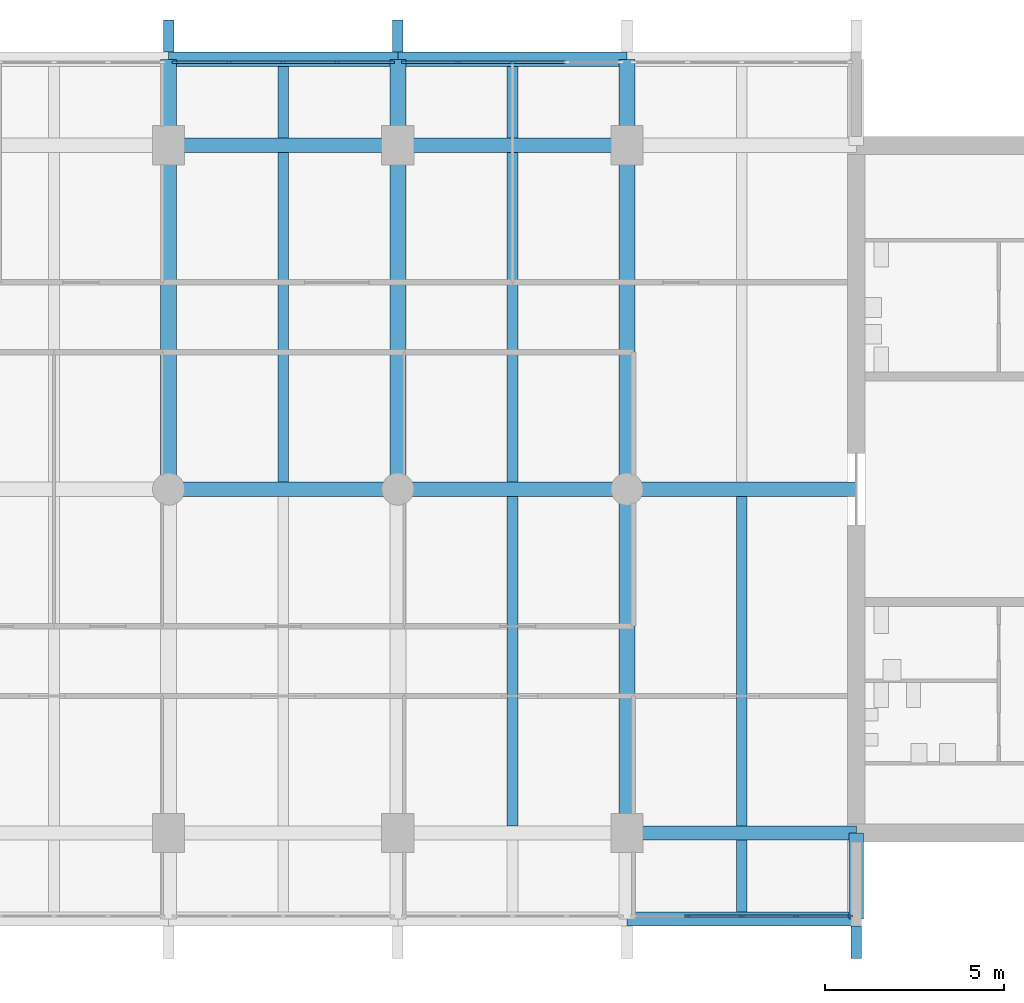
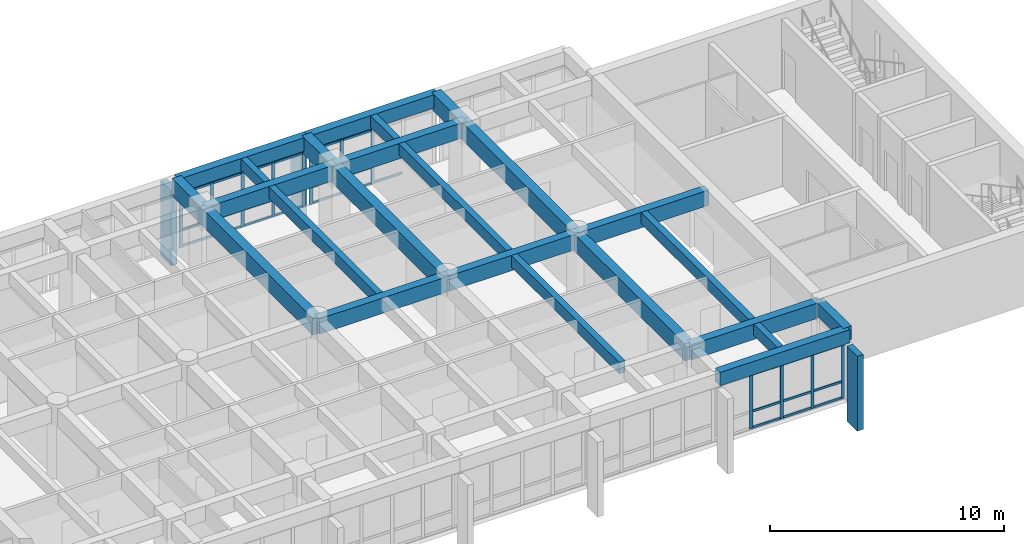
# One storey, part 5 of 15: 44 members, 24 beams, 3 elements without a shape of their own.
"""IFC4 building model written with IfcOpenShell, lengths in metres."""

import ifcopenshell
import ifcopenshell.guid

model = None  # the IFC model being written
_history = None  # IfcOwnerHistory: only IFC2X3 demands one
_inside = {}  # id of a spatial element -> (the spatial element, [elements in it])
_under = {}  # id of a project, library or spatial element -> (it, [spatial elements below it])
_declared = {}  # id of a project -> (the project, [libraries it declares])
_typed = {}  # id of a type object -> (the type object, [elements of that type])
_made_of = {}  # id of a material, layer set ... -> (it, [elements and type objects made of it])


def new_model(schema):
    """Start an empty IFC model of exactly this schema.

    Asked for "IFC4X3", IfcOpenShell would pick the latest addendum, in which some entities
    have other attributes; the version numbers below select the first issue.
    IFC2X3 requires an IfcOwnerHistory on every rooted entity: one is made here for all.
    """
    global model, _history
    if schema == "IFC4X3":
        model = ifcopenshell.file(schema_version=(4, 3, 0, 0))
    else:
        model = ifcopenshell.file(schema=schema)
    _inside.clear()
    _under.clear()
    _declared.clear()
    _typed.clear()
    _made_of.clear()
    _history = None
    if model.schema == "IFC2X3":
        org = make("IfcOrganization", Name="unknown")
        user = make(
            "IfcPersonAndOrganization",
            ThePerson=make("IfcPerson", FamilyName="unknown"),
            TheOrganization=org,
        )
        app = make(
            "IfcApplication",
            ApplicationDeveloper=org,
            Version="unknown",
            ApplicationFullName="unknown",
            ApplicationIdentifier="unknown",
        )
        _history = make(
            "IfcOwnerHistory",
            OwningUser=user,
            OwningApplication=app,
            ChangeAction="ADDED",
            CreationDate=0,
        )
    return model


def make(cls, **values):
    """One entity of the class cls with the attributes given. An attribute that is None is left unset."""
    return model.create_entity(
        cls, **{name: value for name, value in values.items() if value is not None}
    )


def rooted(cls, **values):
    """An entity with a GlobalId (a new one), such as an element, a storey or a relation."""
    return make(cls, GlobalId=ifcopenshell.guid.new(), OwnerHistory=_history, **values)


def si_unit(unit_type, name, prefix=None):
    """IfcSIUnit, for example si_unit("LENGTHUNIT", "METRE", prefix="MILLI")."""
    return make("IfcSIUnit", UnitType=unit_type, Prefix=prefix, Name=name)


def assignment(units):
    """IfcUnitAssignment: the units of a project."""
    return None if units is None else make("IfcUnitAssignment", Units=units)


def point(xyz):
    """IfcCartesianPoint."""
    return None if xyz is None else make("IfcCartesianPoint", Coordinates=xyz)


def direction(xyz):
    """IfcDirection."""
    return None if xyz is None else make("IfcDirection", DirectionRatios=xyz)


def frame(location, z_axis=None, x_axis=None):
    """IfcAxis2Placement3D, a coordinate frame: its origin and axes. An axis left out is left unset."""
    return make(
        "IfcAxis2Placement3D",
        Location=point(location),
        Axis=direction(z_axis),
        RefDirection=direction(x_axis),
    )


def frame_2d(location, x_axis=None):
    """IfcAxis2Placement2D, a coordinate frame in the plane: its origin and x axis."""
    return make(
        "IfcAxis2Placement2D", Location=point(location), RefDirection=direction(x_axis)
    )


def origin():
    """The frame at (0, 0, 0) with its axes left unset."""
    return frame((0.0, 0.0, 0.0))


def origin_2d():
    """The frame at (0, 0) in the plane with its x axis left unset."""
    return frame_2d((0.0, 0.0))


def place(relative_to, where):
    """IfcLocalPlacement: puts the frame where relative to a parent placement (None: the world)."""
    return make(
        "IfcLocalPlacement", PlacementRelTo=relative_to, RelativePlacement=where
    )


def context(
    kind, dimensions, precision=None, world=None, true_north=None, identifier=None
):
    """IfcGeometricRepresentationContext, for example the 3D "Model" context."""
    return make(
        "IfcGeometricRepresentationContext",
        ContextIdentifier=identifier,
        ContextType=kind,
        CoordinateSpaceDimension=dimensions,
        Precision=precision,
        WorldCoordinateSystem=world,
        TrueNorth=true_north,
    )


def subcontext(parent, identifier, kind, view, scale=None):
    """IfcGeometricRepresentationSubContext, for example "Body" below "Model"."""
    return make(
        "IfcGeometricRepresentationSubContext",
        ContextIdentifier=identifier,
        ContextType=kind,
        ParentContext=parent,
        TargetScale=scale,
        TargetView=view,
    )


def project(units=None, contexts=None):
    """IfcProject with its units and contexts."""
    return rooted(
        "IfcProject",
        Name="project",
        RepresentationContexts=contexts,
        UnitsInContext=assignment(units),
    )


def spatial(cls, under=None, at=None, **own):
    """A site, building, storey or space (cls), placed at a placement, below another one or the project."""
    s = rooted(cls, ObjectPlacement=at, **own)
    if under is not None:
        _under.setdefault(under.id(), (under, []))[1].append(s)
    return s


def profile(cls, at=None, kind="AREA", **sizes):
    """A parametric profile (cls). Its sizes go by their IFC names, for example OverallWidth=200.0."""
    return make(cls, ProfileType=kind, Position=at, **sizes)


def rectangle(**sizes):
    """IfcRectangleProfileDef."""
    return profile("IfcRectangleProfileDef", **sizes)


def extrude(swept, where, along, depth):
    """IfcExtrudedAreaSolid: the profile swept, set in the frame where, extruded along a direction by depth."""
    return make(
        "IfcExtrudedAreaSolid",
        SweptArea=swept,
        Position=where,
        ExtrudedDirection=direction(along),
        Depth=depth,
    )


def shape(context_of_items, identifier, shape_type, items):
    """IfcShapeRepresentation: the items that make up one representation, for example the "Body"."""
    return make(
        "IfcShapeRepresentation",
        ContextOfItems=context_of_items,
        RepresentationIdentifier=identifier,
        RepresentationType=shape_type,
        Items=items,
    )


def material(Name=None, Category=None):
    """IfcMaterial."""
    return make("IfcMaterial", Name=Name, Category=Category)


def layer(
    of_material, thickness, ventilated=None, Name=None, Category=None, Priority=None
):
    """IfcMaterialLayer: one layer of a wall or slab, of a material (None: an air gap)."""
    return make(
        "IfcMaterialLayer",
        Material=of_material,
        LayerThickness=thickness,
        IsVentilated=ventilated,
        Name=Name,
        Category=Category,
        Priority=Priority,
    )


def layer_set(layers, Name=None):
    """IfcMaterialLayerSet."""
    return make("IfcMaterialLayerSet", MaterialLayers=layers, LayerSetName=Name)


def material_profile(
    of_material, cross_section, Name=None, Category=None, Priority=None
):
    """IfcMaterialProfile: a cross section and its material."""
    return make(
        "IfcMaterialProfile",
        Name=Name,
        Material=of_material,
        Profile=cross_section,
        Priority=Priority,
        Category=Category,
    )


def profile_set(profiles, Name=None, composite=None):
    """IfcMaterialProfileSet."""
    return make(
        "IfcMaterialProfileSet",
        Name=Name,
        MaterialProfiles=profiles,
        CompositeProfile=composite,
    )


def made_of(thing, what):
    """Note that an element or type object is made of a material, layer set ...; save() writes the relation."""
    if what is not None:
        _made_of.setdefault(what.id(), (what, []))[1].append(thing)
    return thing


def type_object(cls, material=None, **own):
    """A type object (cls), such as IfcWallType, which elements share."""
    return made_of(rooted(cls, **own), material)


def element(
    cls,
    number,
    at=None,
    inside=None,
    cuts=None,
    type_object=None,
    material=None,
    context=None,
    identifier="Body",
    shape_type=None,
    held_by="IfcProductDefinitionShape",
    body=None,
    shapes=None,
    **own,
):
    """One element of the class cls, such as IfcWall. Its Tag is "e" and its number.

    at: its placement. inside: the storey or other place that contains it. cuts: it is an
    opening in that element (IfcRelVoidsElement). A single representation is given by context,
    identifier, shape_type and body (its items); several are given by shapes. held_by: the class
    of the entity that holds the representations. save() writes the other relations.
    """
    e = rooted(cls, Tag="e%d" % number, ObjectPlacement=at, **own)
    if body is not None:
        shapes = [shape(context, identifier, shape_type, body)]
    if shapes is not None:
        e.Representation = make(held_by, Representations=shapes)
    if inside is not None:
        _inside.setdefault(inside.id(), (inside, []))[1].append(e)
    if cuts is not None:
        rooted(
            "IfcRelVoidsElement", RelatingBuildingElement=cuts, RelatedOpeningElement=e
        )
    if type_object is not None:
        _typed.setdefault(type_object.id(), (type_object, []))[1].append(e)
    return made_of(e, material)


def aggregate(whole, parts):
    """IfcRelAggregates: a whole, such as a stair, and the parts it consists of."""
    return rooted("IfcRelAggregates", RelatingObject=whole, RelatedObjects=parts)


def save(model, path):
    """Write the relations noted so far, then the file.

    IfcRelAggregates (storeys below a building ...), IfcRelContainedInSpatialStructure (elements
    in a storey), IfcRelDefinesByType, IfcRelAssociatesMaterial and IfcRelDeclares: one each for
    every whole, place, type object, material and project.
    """
    for whole, parts in _under.values():
        aggregate(whole, parts)
    for where, things in _inside.values():
        rooted(
            "IfcRelContainedInSpatialStructure",
            RelatedElements=things,
            RelatingStructure=where,
        )
    for kind, things in _typed.values():
        rooted("IfcRelDefinesByType", RelatedObjects=things, RelatingType=kind)
    for what, things in _made_of.values():
        rooted("IfcRelAssociatesMaterial", RelatedObjects=things, RelatingMaterial=what)
    for by, libraries in _declared.values():
        rooted("IfcRelDeclares", RelatingContext=by, RelatedDefinitions=libraries)
    model.write(path)


model = new_model("IFC4")

# Units and contexts
model_context = context("Model", 3, precision=1e-05, world=origin(), true_north=direction((0.0, 1.0)))
body_context = subcontext(model_context, "Body", "Model", "MODEL_VIEW")
ifc_project = project(units=[si_unit("LENGTHUNIT", "METRE"), si_unit("AREAUNIT", "SQUARE_METRE"), si_unit("VOLUMEUNIT", "CUBIC_METRE"), si_unit("PLANEANGLEUNIT", "RADIAN"), si_unit("MASSUNIT", "GRAM", prefix="KILO")], contexts=[model_context])

# Site, building, storey
site_placement = place(None, origin())
site = spatial("IfcSite", under=ifc_project, at=site_placement, CompositionType="ELEMENT")
building_placement = place(site_placement, origin())
building = spatial("IfcBuilding", under=site, at=building_placement, Name="Fogon Plaza Fire Station and Headquarters Tower", CompositionType="ELEMENT")
storey_placement = place(building_placement, frame((0.0, 0.0, 48.300048828125)))
storey = spatial("IfcBuildingStorey", under=building, at=storey_placement, Name="L12", CompositionType="ELEMENT", Elevation=48.300048828125)

# Beams
ifc_material_1 = material(Name="Concrete C40", Category="concrete")
ifc_material_profile_1 = material_profile(ifc_material_1, rectangle(XDim=0.39990234375, YDim=0.699951171875, at=origin_2d()), Name="RC 400x700")
ifc_profile_set_1 = profile_set([ifc_material_profile_1], Name="Concrete C40")
beam_type_1 = type_object("IfcBeamType", Name="BEAM RC 400x700", PredefinedType="BEAM", material=ifc_profile_set_1)
for number, where, z_axis, x_axis, name in (
    (1, (57.60009765625, 31.199951171875, 3.329833984375), (1.0, 0.0, 0.0), (0.0, 1.0, 0.0), "beam-L12-044"),
    (2, (44.800048828125, 55.199951171875, 3.329833984375), (1.0, 0.0, 0.0), (0.0, 1.0, 0.0), "beam-L12-048"),
):
    element("IfcBeam", number, at=place(storey_placement, frame(where, z_axis=z_axis, x_axis=x_axis)), inside=storey, type_object=beam_type_1, Name=name, PredefinedType="BEAM", context=body_context, shape_type="SweptSolid", body=[
        extrude(rectangle(XDim=0.39990234375, YDim=0.699951171875, at=origin_2d()), origin(), (0.0, 0.0, 1.0), 6.39990234375),
    ])
beam_1_placement = place(storey_placement, frame((51.199951171875, 55.199951171875, 3.329833984375), z_axis=(1.0, 0.0, 0.0), x_axis=(0.0, 1.0, 0.0)))
element("IfcBeam", 3, at=beam_1_placement, inside=storey, type_object=beam_type_1, Name="beam-L12-049", PredefinedType="BEAM", context=body_context, shape_type="SweptSolid", body=[
    extrude(rectangle(XDim=0.39990234375, YDim=0.699951171875, at=origin_2d()), origin(), (0.0, 0.0, 1.0), 6.400146484375),
])
ifc_material_2 = material(Name="Concrete C40", Category="concrete")
ifc_material_profile_2 = material_profile(ifc_material_2, rectangle(XDim=0.39990234375, YDim=0.699951171875, at=origin_2d()), Name="RC 400x700")
ifc_profile_set_2 = profile_set([ifc_material_profile_2], Name="Concrete C40")
beam_type_2 = type_object("IfcBeamType", Name="BEAM RC 400x700 SPAN 0.0 TO 3.0 M", PredefinedType="BEAM", material=ifc_profile_set_2)
beam_2_placement = place(storey_placement, frame((64.0, 31.199951171875, 3.329833984375), z_axis=(0.0, 1.0, 0.0), x_axis=(-1.0, 0.0, 0.0)))
element("IfcBeam", 4, at=beam_2_placement, inside=storey, type_object=beam_type_2, Name="beam-L12-053", PredefinedType="BEAM", context=body_context, shape_type="SweptSolid", body=[
    extrude(rectangle(XDim=0.39990234375, YDim=0.699951171875, at=origin_2d()), origin(), (0.0, 0.0, 1.0), 2.400146484375),
])
ifc_material_3 = material(Name="Concrete C40", Category="concrete")
ifc_material_profile_3 = material_profile(ifc_material_3, rectangle(XDim=0.39990234375, YDim=0.800048828125, at=origin_2d()), Name="RC 400x800")
ifc_profile_set_3 = profile_set([ifc_material_profile_3], Name="Concrete C40")
beam_type_3 = type_object("IfcBeamType", Name="BEAM RC 400x800", PredefinedType="BEAM", material=ifc_profile_set_3)
for number, where, z_axis, x_axis, name in (
    (5, (57.60009765625, 33.60009765625, 3.280029296875), (1.0, 0.0, 0.0), (0.0, 1.0, 0.0), "beam-L12-026"),
    (6, (44.800048828125, 43.199951171875, 3.280029296875), (1.0, 0.0, 0.0), (0.0, 1.0, 0.0), "beam-L12-030"),
):
    element("IfcBeam", number, at=place(storey_placement, frame(where, z_axis=z_axis, x_axis=x_axis)), inside=storey, type_object=beam_type_3, Name=name, PredefinedType="BEAM", context=body_context, shape_type="SweptSolid", body=[
        extrude(rectangle(XDim=0.39990234375, YDim=0.800048828125, at=origin_2d()), origin(), (0.0, 0.0, 1.0), 6.39990234375),
    ])
beam_3_placement = place(storey_placement, frame((51.199951171875, 43.199951171875, 3.280029296875), z_axis=(1.0, 0.0, 0.0), x_axis=(0.0, 1.0, 0.0)))
element("IfcBeam", 7, at=beam_3_placement, inside=storey, type_object=beam_type_3, Name="beam-L12-031", PredefinedType="BEAM", context=body_context, shape_type="SweptSolid", body=[
    extrude(rectangle(XDim=0.39990234375, YDim=0.800048828125, at=origin_2d()), origin(), (0.0, 0.0, 1.0), 6.400146484375),
])
for number, where, z_axis, x_axis, name in (
    (8, (57.60009765625, 43.199951171875, 3.280029296875), (1.0, 0.0, 0.0), (0.0, 1.0, 0.0), "beam-L12-032"),
    (9, (44.800048828125, 52.800048828125, 3.280029296875), (1.0, 0.0, 0.0), (0.0, 1.0, 0.0), "beam-L12-036"),
):
    element("IfcBeam", number, at=place(storey_placement, frame(where, z_axis=z_axis, x_axis=x_axis)), inside=storey, type_object=beam_type_3, Name=name, PredefinedType="BEAM", context=body_context, shape_type="SweptSolid", body=[
        extrude(rectangle(XDim=0.39990234375, YDim=0.800048828125, at=origin_2d()), origin(), (0.0, 0.0, 1.0), 6.39990234375),
    ])
beam_4_placement = place(storey_placement, frame((51.199951171875, 52.800048828125, 3.280029296875), z_axis=(1.0, 0.0, 0.0), x_axis=(0.0, 1.0, 0.0)))
element("IfcBeam", 10, at=beam_4_placement, inside=storey, type_object=beam_type_3, Name="beam-L12-037", PredefinedType="BEAM", context=body_context, shape_type="SweptSolid", body=[
    extrude(rectangle(XDim=0.39990234375, YDim=0.800048828125, at=origin_2d()), origin(), (0.0, 0.0, 1.0), 6.400146484375),
])
ifc_material_4 = material(Name="Concrete C40", Category="concrete")
ifc_material_profile_4 = material_profile(ifc_material_4, rectangle(XDim=0.449951171875, YDim=0.89990234375, at=origin_2d()), Name="RC 450x900")
ifc_profile_set_4 = profile_set([ifc_material_profile_4], Name="Concrete C40")
beam_type_4 = type_object("IfcBeamType", Name="BEAM RC 450x900", PredefinedType="BEAM", material=ifc_profile_set_4)
for number, where, z_axis, x_axis, name in (
    (11, (44.800048828125, 43.199951171875, 3.22998046875), (0.0, 1.0, 0.0), (-1.0, 0.0, 0.0), "beam-L12-011"),
    (12, (51.199951171875, 43.199951171875, 3.22998046875), (0.0, 1.0, 0.0), (-1.0, 0.0, 0.0), "beam-L12-015"),
):
    element("IfcBeam", number, at=place(storey_placement, frame(where, z_axis=z_axis, x_axis=x_axis)), inside=storey, type_object=beam_type_4, Name=name, PredefinedType="BEAM", context=body_context, shape_type="SweptSolid", body=[
        extrude(rectangle(XDim=0.449951171875, YDim=0.89990234375, at=origin_2d()), origin(), (0.0, 0.0, 1.0), 9.60009765625),
    ])
beam_5_placement = place(storey_placement, frame((57.60009765625, 33.60009765625, 3.22998046875), z_axis=(0.0, 1.0, 0.0), x_axis=(-1.0, 0.0, 0.0)))
element("IfcBeam", 13, at=beam_5_placement, inside=storey, type_object=beam_type_4, Name="beam-L12-018", PredefinedType="BEAM", context=body_context, shape_type="SweptSolid", body=[
    extrude(rectangle(XDim=0.449951171875, YDim=0.89990234375, at=origin_2d()), origin(), (0.0, 0.0, 1.0), 9.599853515625),
])
beam_6_placement = place(storey_placement, frame((57.60009765625, 43.199951171875, 3.22998046875), z_axis=(0.0, 1.0, 0.0), x_axis=(-1.0, 0.0, 0.0)))
element("IfcBeam", 14, at=beam_6_placement, inside=storey, type_object=beam_type_4, Name="beam-L12-019", PredefinedType="BEAM", context=body_context, shape_type="SweptSolid", body=[
    extrude(rectangle(XDim=0.449951171875, YDim=0.89990234375, at=origin_2d()), origin(), (0.0, 0.0, 1.0), 9.60009765625),
])
ifc_material_5 = material(Name="Concrete C40", Category="concrete")
ifc_material_profile_5 = material_profile(ifc_material_5, rectangle(XDim=0.449951171875, YDim=0.89990234375, at=origin_2d()), Name="RC 450x900")
ifc_profile_set_5 = profile_set([ifc_material_profile_5], Name="Concrete C40")
beam_type_5 = type_object("IfcBeamType", Name="BEAM RC 450x900 SPAN 0.0 TO 3.0 M", PredefinedType="BEAM", material=ifc_profile_set_5)
for number, where, z_axis, x_axis, name in (
    (15, (44.800048828125, 52.800048828125, 3.22998046875), (0.0, 1.0, 0.0), (-1.0, 0.0, 0.0), "beam-L12-012"),
    (16, (51.199951171875, 52.800048828125, 3.22998046875), (0.0, 1.0, 0.0), (-1.0, 0.0, 0.0), "beam-L12-016"),
    (17, (57.60009765625, 52.800048828125, 3.22998046875), (0.0, 1.0, 0.0), (-1.0, 0.0, 0.0), "beam-L12-020"),
):
    element("IfcBeam", number, at=place(storey_placement, frame(where, z_axis=z_axis, x_axis=x_axis)), inside=storey, type_object=beam_type_5, Name=name, PredefinedType="BEAM", context=body_context, shape_type="SweptSolid", body=[
        extrude(rectangle(XDim=0.449951171875, YDim=0.89990234375, at=origin_2d()), origin(), (0.0, 0.0, 1.0), 2.39990234375),
    ])

# Curtain wall, members
ifc_material_6 = material(Name="Aluminium and glass", Category="aluminium")
ifc_layer = layer(ifc_material_6, 0.14990234375)
ifc_layer_set = layer_set([ifc_layer], Name="Aluminium and glass")
curtain_wall_type = type_object("IfcCurtainWallType", Name="Unitised Curtain Wall Run 6100x2880", PredefinedType="NOTDEFINED", material=ifc_layer_set)
curtain_wall_1_placement = place(storey_placement, origin())
curtain_wall_1 = element("IfcCurtainWall", 18, at=curtain_wall_1_placement, inside=storey, type_object=curtain_wall_type, Name="CW-6100x2880 S6 L12", PredefinedType="NOTDEFINED")
ifc_material_7 = material(Name="Aluminium", Category="aluminium")
ifc_material_profile_6 = material_profile(ifc_material_7, rectangle(XDim=0.06005859375, YDim=0.159912109375, at=origin_2d()), Name="Curtain Wall Mullion 60x160")
ifc_profile_set_6 = profile_set([ifc_material_profile_6], Name="Aluminium")
member_type_1 = type_object("IfcMemberType", Name="Curtain Wall Mullion 60x160", PredefinedType="MULLION", material=ifc_profile_set_6)
member_1_placement = place(storey_placement, frame((59.2900390625, 31.280029296875, 0.0), z_axis=(0.0, 0.0, 1.0), x_axis=(0.0, 1.0, 0.0)))
member_1 = element("IfcMember", 19, at=member_1_placement, type_object=member_type_1, Name="CW-6100x2880 mullion 2", PredefinedType="MULLION", context=body_context, shape_type="SweptSolid", body=[
    extrude(rectangle(XDim=0.06005859375, YDim=0.159912109375, at=origin_2d()), origin(), (0.0, 0.0, 1.0), 2.8798828125),
])
member_2_placement = place(storey_placement, frame((60.800048828125, 31.280029296875, 0.0), z_axis=(0.0, 0.0, 1.0), x_axis=(0.0, 1.0, 0.0)))
member_2 = element("IfcMember", 20, at=member_2_placement, type_object=member_type_1, Name="CW-6100x2880 mullion 3", PredefinedType="MULLION", context=body_context, shape_type="SweptSolid", body=[
    extrude(rectangle(XDim=0.06005859375, YDim=0.159912109375, at=origin_2d()), origin(), (0.0, 0.0, 1.0), 2.8798828125),
])
member_3_placement = place(storey_placement, frame((62.31005859375, 31.280029296875, 0.0), z_axis=(0.0, 0.0, 1.0), x_axis=(0.0, 1.0, 0.0)))
member_3 = element("IfcMember", 21, at=member_3_placement, type_object=member_type_1, Name="CW-6100x2880 mullion 4", PredefinedType="MULLION", context=body_context, shape_type="SweptSolid", body=[
    extrude(rectangle(XDim=0.06005859375, YDim=0.159912109375, at=origin_2d()), origin(), (0.0, 0.0, 1.0), 2.8798828125),
])
member_4_placement = place(storey_placement, frame((63.820068359375, 31.280029296875, 0.0), z_axis=(0.0, 0.0, 1.0), x_axis=(0.0, 1.0, 0.0)))
member_4 = element("IfcMember", 22, at=member_4_placement, type_object=member_type_1, Name="CW-6100x2880 mullion 5", PredefinedType="MULLION", context=body_context, shape_type="SweptSolid", body=[
    extrude(rectangle(XDim=0.06005859375, YDim=0.159912109375, at=origin_2d()), origin(), (0.0, 0.0, 1.0), 2.8798828125),
])

curtain_wall_2_placement = place(storey_placement, origin())
curtain_wall_2 = element("IfcCurtainWall", 23, at=curtain_wall_2_placement, inside=storey, type_object=curtain_wall_type, Name="CW-6100x2880 N4 L12", PredefinedType="NOTDEFINED")
member_5_placement = place(storey_placement, frame((44.97998046875, 55.1201171875, 0.0), z_axis=(0.0, 0.0, 1.0), x_axis=(0.0, 1.0, 0.0)))
member_5 = element("IfcMember", 24, at=member_5_placement, type_object=member_type_1, Name="CW-6100x2880 mullion 1", PredefinedType="MULLION", context=body_context, shape_type="SweptSolid", body=[
    extrude(rectangle(XDim=0.06005859375, YDim=0.159912109375, at=origin_2d()), origin(), (0.0, 0.0, 1.0), 2.8798828125),
])
member_6_placement = place(storey_placement, frame((46.489990234375, 55.1201171875, 0.0), z_axis=(0.0, 0.0, 1.0), x_axis=(0.0, 1.0, 0.0)))
member_6 = element("IfcMember", 25, at=member_6_placement, type_object=member_type_1, Name="CW-6100x2880 mullion 2", PredefinedType="MULLION", context=body_context, shape_type="SweptSolid", body=[
    extrude(rectangle(XDim=0.06005859375, YDim=0.159912109375, at=origin_2d()), origin(), (0.0, 0.0, 1.0), 2.8798828125),
])
member_7_placement = place(storey_placement, frame((48.0, 55.1201171875, 0.0), z_axis=(0.0, 0.0, 1.0), x_axis=(0.0, 1.0, 0.0)))
member_7 = element("IfcMember", 26, at=member_7_placement, type_object=member_type_1, Name="CW-6100x2880 mullion 3", PredefinedType="MULLION", context=body_context, shape_type="SweptSolid", body=[
    extrude(rectangle(XDim=0.06005859375, YDim=0.159912109375, at=origin_2d()), origin(), (0.0, 0.0, 1.0), 2.8798828125),
])
member_8_placement = place(storey_placement, frame((49.510009765625, 55.1201171875, 0.0), z_axis=(0.0, 0.0, 1.0), x_axis=(0.0, 1.0, 0.0)))
member_8 = element("IfcMember", 27, at=member_8_placement, type_object=member_type_1, Name="CW-6100x2880 mullion 4", PredefinedType="MULLION", context=body_context, shape_type="SweptSolid", body=[
    extrude(rectangle(XDim=0.06005859375, YDim=0.159912109375, at=origin_2d()), origin(), (0.0, 0.0, 1.0), 2.8798828125),
])
member_9_placement = place(storey_placement, frame((51.02001953125, 55.1201171875, 0.0), z_axis=(0.0, 0.0, 1.0), x_axis=(0.0, 1.0, 0.0)))
member_9 = element("IfcMember", 28, at=member_9_placement, type_object=member_type_1, Name="CW-6100x2880 mullion 5", PredefinedType="MULLION", context=body_context, shape_type="SweptSolid", body=[
    extrude(rectangle(XDim=0.06005859375, YDim=0.159912109375, at=origin_2d()), origin(), (0.0, 0.0, 1.0), 2.8798828125),
])

curtain_wall_3_placement = place(storey_placement, origin())
curtain_wall_3 = element("IfcCurtainWall", 29, at=curtain_wall_3_placement, inside=storey, type_object=curtain_wall_type, Name="CW-6100x2880 N5 L12", PredefinedType="NOTDEFINED")
member_10_placement = place(storey_placement, frame((51.3798828125, 55.1201171875, 0.0), z_axis=(0.0, 0.0, 1.0), x_axis=(0.0, 1.0, 0.0)))
member_10 = element("IfcMember", 30, at=member_10_placement, type_object=member_type_1, Name="CW-6100x2880 mullion 1", PredefinedType="MULLION", context=body_context, shape_type="SweptSolid", body=[
    extrude(rectangle(XDim=0.06005859375, YDim=0.159912109375, at=origin_2d()), origin(), (0.0, 0.0, 1.0), 2.8798828125),
])
member_11_placement = place(storey_placement, frame((52.889892578125, 55.1201171875, 0.0), z_axis=(0.0, 0.0, 1.0), x_axis=(0.0, 1.0, 0.0)))
member_11 = element("IfcMember", 31, at=member_11_placement, type_object=member_type_1, Name="CW-6100x2880 mullion 2", PredefinedType="MULLION", context=body_context, shape_type="SweptSolid", body=[
    extrude(rectangle(XDim=0.06005859375, YDim=0.159912109375, at=origin_2d()), origin(), (0.0, 0.0, 1.0), 2.8798828125),
])
member_12_placement = place(storey_placement, frame((54.39990234375, 55.1201171875, 0.0), z_axis=(0.0, 0.0, 1.0), x_axis=(0.0, 1.0, 0.0)))
member_12 = element("IfcMember", 32, at=member_12_placement, type_object=member_type_1, Name="CW-6100x2880 mullion 3", PredefinedType="MULLION", context=body_context, shape_type="SweptSolid", body=[
    extrude(rectangle(XDim=0.06005859375, YDim=0.159912109375, at=origin_2d()), origin(), (0.0, 0.0, 1.0), 2.8798828125),
])

# Member
ifc_material_8 = material(Name="Aluminium", Category="aluminium")
ifc_material_profile_7 = material_profile(ifc_material_8, rectangle(XDim=0.06005859375, YDim=0.1201171875, at=origin_2d()), Name="Curtain Wall Transom 60x120")
ifc_profile_set_7 = profile_set([ifc_material_profile_7], Name="Aluminium")
member_type_2 = type_object("IfcMemberType", Name="Curtain Wall Transom 60x120", PredefinedType="USERDEFINED", material=ifc_profile_set_7)
member_13_placement = place(storey_placement, frame((59.320068359375, 31.280029296875, 0.06005859375), z_axis=(1.0, 0.0, 0.0), x_axis=(0.0, 1.0, 0.0)))
member_13 = element("IfcMember", 33, at=member_13_placement, type_object=member_type_2, Name="CW-6100x2880 transom 2.1", ObjectType="TRANSOM", PredefinedType="USERDEFINED", context=body_context, shape_type="SweptSolid", body=[
    extrude(rectangle(XDim=0.06005859375, YDim=0.1201171875, at=origin_2d()), origin(), (0.0, 0.0, 1.0), 1.449951171875),
])

member_14_placement = place(storey_placement, frame((59.320068359375, 31.280029296875, 0.89990234375), z_axis=(1.0, 0.0, 0.0), x_axis=(0.0, 1.0, 0.0)))
member_14 = element("IfcMember", 34, at=member_14_placement, type_object=member_type_2, Name="CW-6100x2880 transom 2.2", ObjectType="TRANSOM", PredefinedType="USERDEFINED", context=body_context, shape_type="SweptSolid", body=[
    extrude(rectangle(XDim=0.06005859375, YDim=0.1201171875, at=origin_2d()), origin(), (0.0, 0.0, 1.0), 1.449951171875),
])

member_15_placement = place(storey_placement, frame((59.320068359375, 31.280029296875, 2.820068359375), z_axis=(1.0, 0.0, 0.0), x_axis=(0.0, 1.0, 0.0)))
member_15 = element("IfcMember", 35, at=member_15_placement, type_object=member_type_2, Name="CW-6100x2880 transom 2.3", ObjectType="TRANSOM", PredefinedType="USERDEFINED", context=body_context, shape_type="SweptSolid", body=[
    extrude(rectangle(XDim=0.06005859375, YDim=0.1201171875, at=origin_2d()), origin(), (0.0, 0.0, 1.0), 1.449951171875),
])

member_16_placement = place(storey_placement, frame((60.830078125, 31.280029296875, 0.06005859375), z_axis=(1.0, 0.0, 0.0), x_axis=(0.0, 1.0, 0.0)))
member_16 = element("IfcMember", 36, at=member_16_placement, type_object=member_type_2, Name="CW-6100x2880 transom 3.1", ObjectType="TRANSOM", PredefinedType="USERDEFINED", context=body_context, shape_type="SweptSolid", body=[
    extrude(rectangle(XDim=0.06005859375, YDim=0.1201171875, at=origin_2d()), origin(), (0.0, 0.0, 1.0), 1.449951171875),
])

member_17_placement = place(storey_placement, frame((60.830078125, 31.280029296875, 0.89990234375), z_axis=(1.0, 0.0, 0.0), x_axis=(0.0, 1.0, 0.0)))
member_17 = element("IfcMember", 37, at=member_17_placement, type_object=member_type_2, Name="CW-6100x2880 transom 3.2", ObjectType="TRANSOM", PredefinedType="USERDEFINED", context=body_context, shape_type="SweptSolid", body=[
    extrude(rectangle(XDim=0.06005859375, YDim=0.1201171875, at=origin_2d()), origin(), (0.0, 0.0, 1.0), 1.449951171875),
])

member_18_placement = place(storey_placement, frame((60.830078125, 31.280029296875, 2.820068359375), z_axis=(1.0, 0.0, 0.0), x_axis=(0.0, 1.0, 0.0)))
member_18 = element("IfcMember", 38, at=member_18_placement, type_object=member_type_2, Name="CW-6100x2880 transom 3.3", ObjectType="TRANSOM", PredefinedType="USERDEFINED", context=body_context, shape_type="SweptSolid", body=[
    extrude(rectangle(XDim=0.06005859375, YDim=0.1201171875, at=origin_2d()), origin(), (0.0, 0.0, 1.0), 1.449951171875),
])

member_19_placement = place(storey_placement, frame((62.340087890625, 31.280029296875, 0.06005859375), z_axis=(1.0, 0.0, 0.0), x_axis=(0.0, 1.0, 0.0)))
member_19 = element("IfcMember", 39, at=member_19_placement, type_object=member_type_2, Name="CW-6100x2880 transom 4.1", ObjectType="TRANSOM", PredefinedType="USERDEFINED", context=body_context, shape_type="SweptSolid", body=[
    extrude(rectangle(XDim=0.06005859375, YDim=0.1201171875, at=origin_2d()), origin(), (0.0, 0.0, 1.0), 1.449951171875),
])

member_20_placement = place(storey_placement, frame((62.340087890625, 31.280029296875, 0.89990234375), z_axis=(1.0, 0.0, 0.0), x_axis=(0.0, 1.0, 0.0)))
member_20 = element("IfcMember", 40, at=member_20_placement, type_object=member_type_2, Name="CW-6100x2880 transom 4.2", ObjectType="TRANSOM", PredefinedType="USERDEFINED", context=body_context, shape_type="SweptSolid", body=[
    extrude(rectangle(XDim=0.06005859375, YDim=0.1201171875, at=origin_2d()), origin(), (0.0, 0.0, 1.0), 1.449951171875),
])

member_21_placement = place(storey_placement, frame((62.340087890625, 31.280029296875, 2.820068359375), z_axis=(1.0, 0.0, 0.0), x_axis=(0.0, 1.0, 0.0)))
member_21 = element("IfcMember", 41, at=member_21_placement, type_object=member_type_2, Name="CW-6100x2880 transom 4.3", ObjectType="TRANSOM", PredefinedType="USERDEFINED", context=body_context, shape_type="SweptSolid", body=[
    extrude(rectangle(XDim=0.06005859375, YDim=0.1201171875, at=origin_2d()), origin(), (0.0, 0.0, 1.0), 1.449951171875),
])

aggregate(curtain_wall_1, [member_1, member_2, member_3, member_4, member_13, member_14, member_15, member_16, member_17, member_18, member_19, member_20, member_21])

member_22_placement = place(storey_placement, frame((45.010009765625, 55.1201171875, 0.06005859375), z_axis=(1.0, 0.0, 0.0), x_axis=(0.0, 1.0, 0.0)))
member_22 = element("IfcMember", 42, at=member_22_placement, type_object=member_type_2, Name="CW-6100x2880 transom 1.1", ObjectType="TRANSOM", PredefinedType="USERDEFINED", context=body_context, shape_type="SweptSolid", body=[
    extrude(rectangle(XDim=0.06005859375, YDim=0.1201171875, at=origin_2d()), origin(), (0.0, 0.0, 1.0), 1.449951171875),
])

member_23_placement = place(storey_placement, frame((45.010009765625, 55.1201171875, 0.89990234375), z_axis=(1.0, 0.0, 0.0), x_axis=(0.0, 1.0, 0.0)))
member_23 = element("IfcMember", 43, at=member_23_placement, type_object=member_type_2, Name="CW-6100x2880 transom 1.2", ObjectType="TRANSOM", PredefinedType="USERDEFINED", context=body_context, shape_type="SweptSolid", body=[
    extrude(rectangle(XDim=0.06005859375, YDim=0.1201171875, at=origin_2d()), origin(), (0.0, 0.0, 1.0), 1.449951171875),
])

member_24_placement = place(storey_placement, frame((45.010009765625, 55.1201171875, 2.820068359375), z_axis=(1.0, 0.0, 0.0), x_axis=(0.0, 1.0, 0.0)))
member_24 = element("IfcMember", 44, at=member_24_placement, type_object=member_type_2, Name="CW-6100x2880 transom 1.3", ObjectType="TRANSOM", PredefinedType="USERDEFINED", context=body_context, shape_type="SweptSolid", body=[
    extrude(rectangle(XDim=0.06005859375, YDim=0.1201171875, at=origin_2d()), origin(), (0.0, 0.0, 1.0), 1.449951171875),
])

member_25_placement = place(storey_placement, frame((46.52001953125, 55.1201171875, 0.06005859375), z_axis=(1.0, 0.0, 0.0), x_axis=(0.0, 1.0, 0.0)))
member_25 = element("IfcMember", 45, at=member_25_placement, type_object=member_type_2, Name="CW-6100x2880 transom 2.1", ObjectType="TRANSOM", PredefinedType="USERDEFINED", context=body_context, shape_type="SweptSolid", body=[
    extrude(rectangle(XDim=0.06005859375, YDim=0.1201171875, at=origin_2d()), origin(), (0.0, 0.0, 1.0), 1.449951171875),
])

member_26_placement = place(storey_placement, frame((46.52001953125, 55.1201171875, 0.89990234375), z_axis=(1.0, 0.0, 0.0), x_axis=(0.0, 1.0, 0.0)))
member_26 = element("IfcMember", 46, at=member_26_placement, type_object=member_type_2, Name="CW-6100x2880 transom 2.2", ObjectType="TRANSOM", PredefinedType="USERDEFINED", context=body_context, shape_type="SweptSolid", body=[
    extrude(rectangle(XDim=0.06005859375, YDim=0.1201171875, at=origin_2d()), origin(), (0.0, 0.0, 1.0), 1.449951171875),
])

member_27_placement = place(storey_placement, frame((46.52001953125, 55.1201171875, 2.820068359375), z_axis=(1.0, 0.0, 0.0), x_axis=(0.0, 1.0, 0.0)))
member_27 = element("IfcMember", 47, at=member_27_placement, type_object=member_type_2, Name="CW-6100x2880 transom 2.3", ObjectType="TRANSOM", PredefinedType="USERDEFINED", context=body_context, shape_type="SweptSolid", body=[
    extrude(rectangle(XDim=0.06005859375, YDim=0.1201171875, at=origin_2d()), origin(), (0.0, 0.0, 1.0), 1.449951171875),
])

member_28_placement = place(storey_placement, frame((48.030029296875, 55.1201171875, 0.06005859375), z_axis=(1.0, 0.0, 0.0), x_axis=(0.0, 1.0, 0.0)))
member_28 = element("IfcMember", 48, at=member_28_placement, type_object=member_type_2, Name="CW-6100x2880 transom 3.1", ObjectType="TRANSOM", PredefinedType="USERDEFINED", context=body_context, shape_type="SweptSolid", body=[
    extrude(rectangle(XDim=0.06005859375, YDim=0.1201171875, at=origin_2d()), origin(), (0.0, 0.0, 1.0), 1.449951171875),
])

member_29_placement = place(storey_placement, frame((48.030029296875, 55.1201171875, 0.89990234375), z_axis=(1.0, 0.0, 0.0), x_axis=(0.0, 1.0, 0.0)))
member_29 = element("IfcMember", 49, at=member_29_placement, type_object=member_type_2, Name="CW-6100x2880 transom 3.2", ObjectType="TRANSOM", PredefinedType="USERDEFINED", context=body_context, shape_type="SweptSolid", body=[
    extrude(rectangle(XDim=0.06005859375, YDim=0.1201171875, at=origin_2d()), origin(), (0.0, 0.0, 1.0), 1.449951171875),
])

member_30_placement = place(storey_placement, frame((48.030029296875, 55.1201171875, 2.820068359375), z_axis=(1.0, 0.0, 0.0), x_axis=(0.0, 1.0, 0.0)))
member_30 = element("IfcMember", 50, at=member_30_placement, type_object=member_type_2, Name="CW-6100x2880 transom 3.3", ObjectType="TRANSOM", PredefinedType="USERDEFINED", context=body_context, shape_type="SweptSolid", body=[
    extrude(rectangle(XDim=0.06005859375, YDim=0.1201171875, at=origin_2d()), origin(), (0.0, 0.0, 1.0), 1.449951171875),
])

member_31_placement = place(storey_placement, frame((49.5400390625, 55.1201171875, 0.06005859375), z_axis=(1.0, 0.0, 0.0), x_axis=(0.0, 1.0, 0.0)))
member_31 = element("IfcMember", 51, at=member_31_placement, type_object=member_type_2, Name="CW-6100x2880 transom 4.1", ObjectType="TRANSOM", PredefinedType="USERDEFINED", context=body_context, shape_type="SweptSolid", body=[
    extrude(rectangle(XDim=0.06005859375, YDim=0.1201171875, at=origin_2d()), origin(), (0.0, 0.0, 1.0), 1.449951171875),
])

member_32_placement = place(storey_placement, frame((49.5400390625, 55.1201171875, 0.89990234375), z_axis=(1.0, 0.0, 0.0), x_axis=(0.0, 1.0, 0.0)))
member_32 = element("IfcMember", 52, at=member_32_placement, type_object=member_type_2, Name="CW-6100x2880 transom 4.2", ObjectType="TRANSOM", PredefinedType="USERDEFINED", context=body_context, shape_type="SweptSolid", body=[
    extrude(rectangle(XDim=0.06005859375, YDim=0.1201171875, at=origin_2d()), origin(), (0.0, 0.0, 1.0), 1.449951171875),
])

member_33_placement = place(storey_placement, frame((49.5400390625, 55.1201171875, 2.820068359375), z_axis=(1.0, 0.0, 0.0), x_axis=(0.0, 1.0, 0.0)))
member_33 = element("IfcMember", 53, at=member_33_placement, type_object=member_type_2, Name="CW-6100x2880 transom 4.3", ObjectType="TRANSOM", PredefinedType="USERDEFINED", context=body_context, shape_type="SweptSolid", body=[
    extrude(rectangle(XDim=0.06005859375, YDim=0.1201171875, at=origin_2d()), origin(), (0.0, 0.0, 1.0), 1.449951171875),
])

aggregate(curtain_wall_2, [member_5, member_6, member_7, member_8, member_9, member_22, member_23, member_24, member_25, member_26, member_27, member_28, member_29, member_30, member_31, member_32, member_33])

member_34_placement = place(storey_placement, frame((51.409912109375, 55.1201171875, 0.06005859375), z_axis=(1.0, 0.0, 0.0), x_axis=(0.0, 1.0, 0.0)))
member_34 = element("IfcMember", 54, at=member_34_placement, type_object=member_type_2, Name="CW-6100x2880 transom 1.1", ObjectType="TRANSOM", PredefinedType="USERDEFINED", context=body_context, shape_type="SweptSolid", body=[
    extrude(rectangle(XDim=0.06005859375, YDim=0.1201171875, at=origin_2d()), origin(), (0.0, 0.0, 1.0), 1.4501953125),
])

member_35_placement = place(storey_placement, frame((51.409912109375, 55.1201171875, 0.89990234375), z_axis=(1.0, 0.0, 0.0), x_axis=(0.0, 1.0, 0.0)))
member_35 = element("IfcMember", 55, at=member_35_placement, type_object=member_type_2, Name="CW-6100x2880 transom 1.2", ObjectType="TRANSOM", PredefinedType="USERDEFINED", context=body_context, shape_type="SweptSolid", body=[
    extrude(rectangle(XDim=0.06005859375, YDim=0.1201171875, at=origin_2d()), origin(), (0.0, 0.0, 1.0), 1.4501953125),
])

member_36_placement = place(storey_placement, frame((51.409912109375, 55.1201171875, 2.820068359375), z_axis=(1.0, 0.0, 0.0), x_axis=(0.0, 1.0, 0.0)))
member_36 = element("IfcMember", 56, at=member_36_placement, type_object=member_type_2, Name="CW-6100x2880 transom 1.3", ObjectType="TRANSOM", PredefinedType="USERDEFINED", context=body_context, shape_type="SweptSolid", body=[
    extrude(rectangle(XDim=0.06005859375, YDim=0.1201171875, at=origin_2d()), origin(), (0.0, 0.0, 1.0), 1.4501953125),
])

member_37_placement = place(storey_placement, frame((52.919921875, 55.1201171875, 0.06005859375), z_axis=(1.0, 0.0, 0.0), x_axis=(0.0, 1.0, 0.0)))
member_37 = element("IfcMember", 57, at=member_37_placement, type_object=member_type_2, Name="CW-6100x2880 transom 2.1", ObjectType="TRANSOM", PredefinedType="USERDEFINED", context=body_context, shape_type="SweptSolid", body=[
    extrude(rectangle(XDim=0.06005859375, YDim=0.1201171875, at=origin_2d()), origin(), (0.0, 0.0, 1.0), 1.4501953125),
])

member_38_placement = place(storey_placement, frame((52.919921875, 55.1201171875, 0.89990234375), z_axis=(1.0, 0.0, 0.0), x_axis=(0.0, 1.0, 0.0)))
member_38 = element("IfcMember", 58, at=member_38_placement, type_object=member_type_2, Name="CW-6100x2880 transom 2.2", ObjectType="TRANSOM", PredefinedType="USERDEFINED", context=body_context, shape_type="SweptSolid", body=[
    extrude(rectangle(XDim=0.06005859375, YDim=0.1201171875, at=origin_2d()), origin(), (0.0, 0.0, 1.0), 1.4501953125),
])

member_39_placement = place(storey_placement, frame((52.919921875, 55.1201171875, 2.820068359375), z_axis=(1.0, 0.0, 0.0), x_axis=(0.0, 1.0, 0.0)))
member_39 = element("IfcMember", 59, at=member_39_placement, type_object=member_type_2, Name="CW-6100x2880 transom 2.3", ObjectType="TRANSOM", PredefinedType="USERDEFINED", context=body_context, shape_type="SweptSolid", body=[
    extrude(rectangle(XDim=0.06005859375, YDim=0.1201171875, at=origin_2d()), origin(), (0.0, 0.0, 1.0), 1.4501953125),
])

member_40_placement = place(storey_placement, frame((54.429931640625, 55.1201171875, 0.06005859375), z_axis=(1.0, 0.0, 0.0), x_axis=(0.0, 1.0, 0.0)))
member_40 = element("IfcMember", 60, at=member_40_placement, type_object=member_type_2, Name="CW-6100x2880 transom 3.1", ObjectType="TRANSOM", PredefinedType="USERDEFINED", context=body_context, shape_type="SweptSolid", body=[
    extrude(rectangle(XDim=0.06005859375, YDim=0.1201171875, at=origin_2d()), origin(), (0.0, 0.0, 1.0), 1.449951171875),
])

member_41_placement = place(storey_placement, frame((54.429931640625, 55.1201171875, 0.89990234375), z_axis=(1.0, 0.0, 0.0), x_axis=(0.0, 1.0, 0.0)))
member_41 = element("IfcMember", 61, at=member_41_placement, type_object=member_type_2, Name="CW-6100x2880 transom 3.2", ObjectType="TRANSOM", PredefinedType="USERDEFINED", context=body_context, shape_type="SweptSolid", body=[
    extrude(rectangle(XDim=0.06005859375, YDim=0.1201171875, at=origin_2d()), origin(), (0.0, 0.0, 1.0), 1.449951171875),
])

aggregate(curtain_wall_3, [member_10, member_11, member_12, member_34, member_35, member_36, member_37, member_38, member_39, member_40, member_41])

# Beams
ifc_material_9 = material(Name="Concrete C40", Category="concrete")
ifc_material_profile_8 = material_profile(ifc_material_9, rectangle(XDim=0.300048828125, YDim=0.60009765625, at=origin_2d()), Name="RC 300x600")
ifc_profile_set_8 = profile_set([ifc_material_profile_8], Name="Concrete C40")
beam_type_6 = type_object("IfcBeamType", Name="JOIST RC 300x600", PredefinedType="JOIST", material=ifc_profile_set_8)
beam_7_placement = place(storey_placement, frame((48.0, 43.39990234375, 3.3798828125), z_axis=(0.0, 1.0, 0.0), x_axis=(-1.0, 0.0, 0.0)))
element("IfcBeam", 62, at=beam_7_placement, inside=storey, type_object=beam_type_6, Name="beam-L12-069", PredefinedType="JOIST", context=body_context, shape_type="SweptSolid", body=[
    extrude(rectangle(XDim=0.300048828125, YDim=0.60009765625, at=origin_2d()), origin(), (0.0, 0.0, 1.0), 9.2001953125),
])
beam_8_placement = place(storey_placement, frame((54.39990234375, 33.800048828125, 3.3798828125), z_axis=(0.0, 1.0, 0.0), x_axis=(-1.0, 0.0, 0.0)))
element("IfcBeam", 63, at=beam_8_placement, inside=storey, type_object=beam_type_6, Name="beam-L12-072", PredefinedType="JOIST", context=body_context, shape_type="SweptSolid", body=[
    extrude(rectangle(XDim=0.300048828125, YDim=0.60009765625, at=origin_2d()), origin(), (0.0, 0.0, 1.0), 9.199951171875),
])
beam_9_placement = place(storey_placement, frame((54.39990234375, 43.39990234375, 3.3798828125), z_axis=(0.0, 1.0, 0.0), x_axis=(-1.0, 0.0, 0.0)))
element("IfcBeam", 64, at=beam_9_placement, inside=storey, type_object=beam_type_6, Name="beam-L12-073", PredefinedType="JOIST", context=body_context, shape_type="SweptSolid", body=[
    extrude(rectangle(XDim=0.300048828125, YDim=0.60009765625, at=origin_2d()), origin(), (0.0, 0.0, 1.0), 9.2001953125),
])
beam_10_placement = place(storey_placement, frame((60.800048828125, 33.800048828125, 3.3798828125), z_axis=(0.0, 1.0, 0.0), x_axis=(-1.0, 0.0, 0.0)))
element("IfcBeam", 65, at=beam_10_placement, inside=storey, type_object=beam_type_6, Name="beam-L12-076", PredefinedType="JOIST", context=body_context, shape_type="SweptSolid", body=[
    extrude(rectangle(XDim=0.300048828125, YDim=0.60009765625, at=origin_2d()), origin(), (0.0, 0.0, 1.0), 9.199951171875),
])
ifc_material_10 = material(Name="Concrete C40", Category="concrete")
ifc_material_profile_9 = material_profile(ifc_material_10, rectangle(XDim=0.300048828125, YDim=0.60009765625, at=origin_2d()), Name="RC 300x600")
ifc_profile_set_9 = profile_set([ifc_material_profile_9], Name="Concrete C40")
beam_type_7 = type_object("IfcBeamType", Name="JOIST RC 300x600 SPAN 0.0 TO 3.0 M", PredefinedType="JOIST", material=ifc_profile_set_9)
for number, where, z_axis, x_axis, name in (
    (66, (48.0, 53.0, 3.3798828125), (0.0, 1.0, 0.0), (-1.0, 0.0, 0.0), "beam-L12-070"),
    (67, (54.39990234375, 53.0, 3.3798828125), (0.0, 1.0, 0.0), (-1.0, 0.0, 0.0), "beam-L12-074"),
    (68, (60.800048828125, 31.39990234375, 3.3798828125), (0.0, 1.0, 0.0), (-1.0, 0.0, 0.0), "beam-L12-075"),
):
    element("IfcBeam", number, at=place(storey_placement, frame(where, z_axis=z_axis, x_axis=x_axis)), inside=storey, type_object=beam_type_7, Name=name, PredefinedType="JOIST", context=body_context, shape_type="SweptSolid", body=[
        extrude(rectangle(XDim=0.300048828125, YDim=0.60009765625, at=origin_2d()), origin(), (0.0, 0.0, 1.0), 2.0),
    ])

# Members
ifc_material_11 = material(Name="Concrete C40 precast", Category="concrete")
ifc_material_profile_10 = material_profile(ifc_material_11, rectangle(XDim=0.300048828125, YDim=0.89990234375, at=origin_2d()), Name="Precast Concrete Post 300x900")
ifc_profile_set_10 = profile_set([ifc_material_profile_10], Name="Concrete C40 precast")
member_type_3 = type_object("IfcMemberType", Name="Precast Concrete Post 300x900", PredefinedType="POST", material=ifc_profile_set_10)
for number, where, z_axis, x_axis, name in (
    (69, (64.0, 30.550048828125, -1.02001953125), (0.0, 0.0, 1.0), (1.0, 0.0, 0.0), "Precast Post S L12"),
    (70, (44.800048828125, 55.85009765625, -1.02001953125), (0.0, 0.0, 1.0), (1.0, 0.0, 0.0), "Precast Post N L12"),
    (71, (51.199951171875, 55.85009765625, -1.02001953125), (0.0, 0.0, 1.0), (1.0, 0.0, 0.0), "Precast Post N L12"),
):
    element("IfcMember", number, at=place(storey_placement, frame(where, z_axis=z_axis, x_axis=x_axis)), inside=storey, type_object=member_type_3, Name=name, PredefinedType="POST", context=body_context, shape_type="SweptSolid", body=[
        extrude(rectangle(XDim=0.300048828125, YDim=0.89990234375, at=origin_2d()), origin(), (0.0, 0.0, 1.0), 3.89990234375),
    ])

save(model, "model.ifc")
